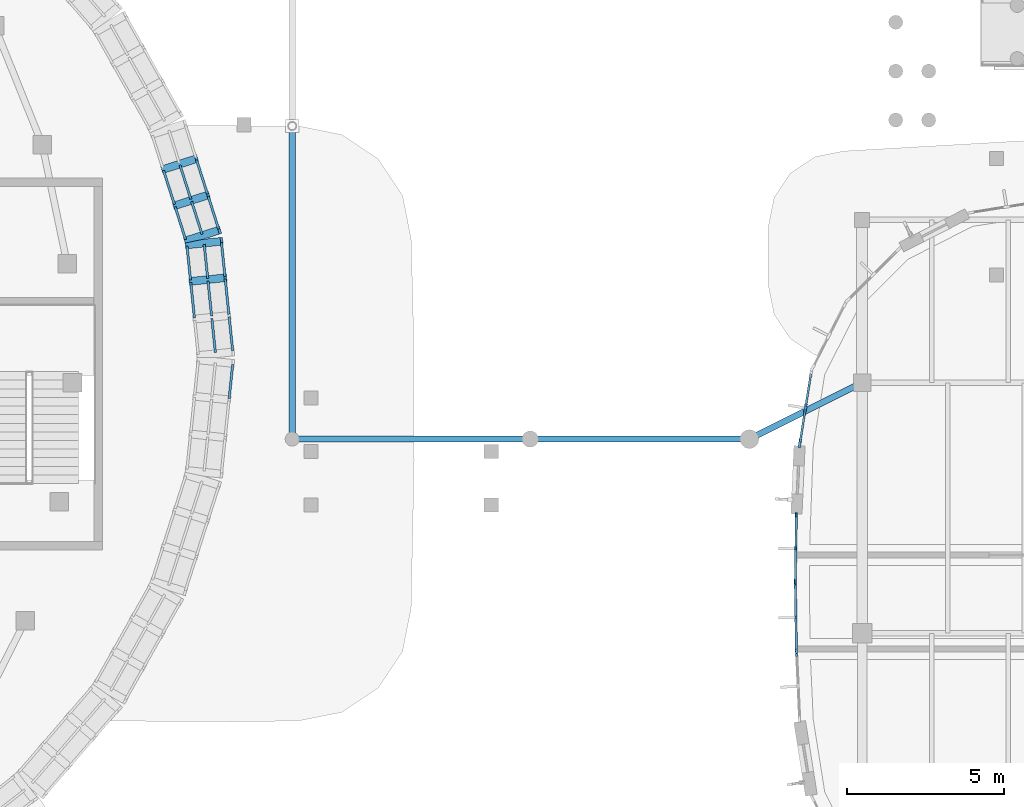
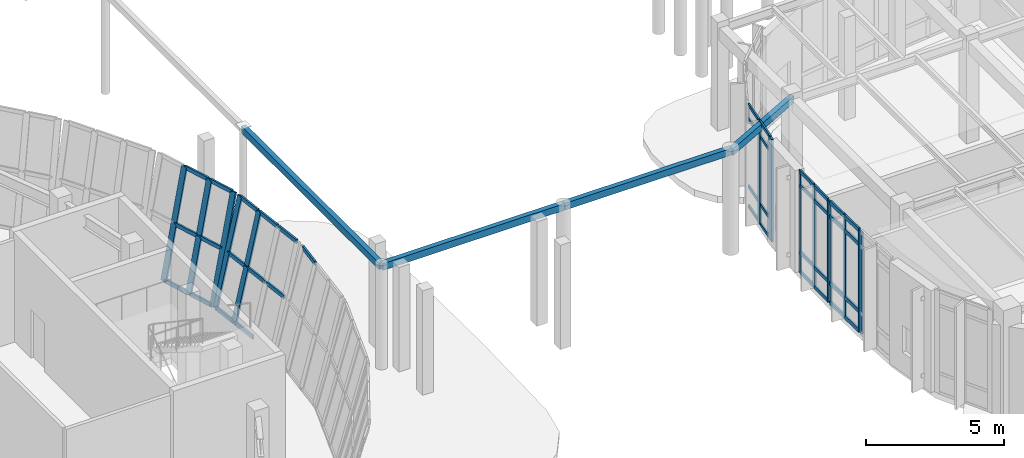
# One storey, part 25 of 120: 53 members, 4 beams, 7 elements without a shape of their own.
"""IFC4 building model written with IfcOpenShell, lengths in metres."""

from ifc_helpers import new_model, si_unit, direction, frame, origin, origin_2d, place, context, subcontext, project, spatial, rectangle, hollow_rectangle, extrude, material, material_profile, profile_set, type_object, element, aggregate, save


model = new_model("IFC4")

# Units and contexts
model_context = context("Model", 3, precision=1e-05, world=origin(), true_north=direction((0.0, 1.0)))
body_context = subcontext(model_context, "Body", "Model", "MODEL_VIEW")
ifc_project = project(units=[si_unit("LENGTHUNIT", "METRE"), si_unit("AREAUNIT", "SQUARE_METRE"), si_unit("VOLUMEUNIT", "CUBIC_METRE"), si_unit("PLANEANGLEUNIT", "RADIAN"), si_unit("MASSUNIT", "GRAM", prefix="KILO")], contexts=[model_context])

# Site, building, storey
site_placement = place(None, origin())
site = spatial("IfcSite", under=ifc_project, at=site_placement, CompositionType="ELEMENT")
building_placement = place(site_placement, origin())
building = spatial("IfcBuilding", under=site, at=building_placement, Name="Corveleigh Park Community Centre", CompositionType="ELEMENT")
storey_placement = place(building_placement, origin())
storey = spatial("IfcBuildingStorey", under=building, at=storey_placement, Name="L00", CompositionType="ELEMENT", Elevation=0.0)

# Curtain wall, members
ifc_material_1 = material(Name="Anodised aluminium 6063-T6", Category="aluminium")
curtain_wall_type_1 = type_object("IfcCurtainWallType", Name="CW-SYS-V3-L00", PredefinedType="NOTDEFINED", material=ifc_material_1)
curtain_wall_1_placement = place(storey_placement, origin())
curtain_wall_1 = element("IfcCurtainWall", 1, at=curtain_wall_1_placement, inside=storey, type_object=curtain_wall_type_1, Name="V3 L00 Curtain Wall 103", PredefinedType="NOTDEFINED")
ifc_material_profile_1 = material_profile(ifc_material_1, rectangle(XDim=0.06005859375, YDim=0.159912109375, at=origin_2d()), Name="ALU-M60x160", Category="aluminium")
ifc_profile_set_1 = profile_set([ifc_material_profile_1], Name="Anodised aluminium 6063-T6")
member_type_1 = type_object("IfcMemberType", Name="CWM-60x160", PredefinedType="MULLION", material=ifc_profile_set_1)
member_1_placement = place(storey_placement, frame((69.866455078125, 20.43896484375, 0.0), z_axis=(0.0, 0.0, 1.0), x_axis=(-0.999885760581, 0.015115084786, 0.0)))
member_1 = element("IfcMember", 2, at=member_1_placement, type_object=member_type_1, Name="CW05 mullion 1", PredefinedType="MULLION", context=body_context, shape_type="SweptSolid", body=[
    extrude(rectangle(XDim=0.06005859375, YDim=0.159912109375, at=origin_2d()), origin(), (0.0, 0.0, 1.0), 4.511962890625),
])
member_2_placement = place(storey_placement, frame((69.882568359375, 21.50048828125, 0.0), z_axis=(0.0, 0.0, 1.0), x_axis=(-0.999885760581, 0.015115084786, 0.0)))
member_2 = element("IfcMember", 3, at=member_2_placement, type_object=member_type_1, Name="CW05 mullion 2", PredefinedType="MULLION", context=body_context, shape_type="SweptSolid", body=[
    extrude(rectangle(XDim=0.06005859375, YDim=0.159912109375, at=origin_2d()), origin(), (0.0, 0.0, 1.0), 4.511962890625),
])
member_3_placement = place(storey_placement, frame((69.8984375, 22.56201171875, 0.0), z_axis=(0.0, 0.0, 1.0), x_axis=(-0.999885760581, 0.015115084786, 0.0)))
member_3 = element("IfcMember", 4, at=member_3_placement, type_object=member_type_1, Name="CW05 mullion 3", PredefinedType="MULLION", context=body_context, shape_type="SweptSolid", body=[
    extrude(rectangle(XDim=0.06005859375, YDim=0.159912109375, at=origin_2d()), origin(), (0.0, 0.0, 1.0), 4.511962890625),
])

curtain_wall_2_placement = place(storey_placement, origin())
curtain_wall_2 = element("IfcCurtainWall", 5, at=curtain_wall_2_placement, inside=storey, type_object=curtain_wall_type_1, Name="V3 L00 Curtain Wall 104", PredefinedType="NOTDEFINED")
ifc_material_profile_2 = material_profile(ifc_material_1, rectangle(XDim=0.06494140625, YDim=0.179931640625, at=origin_2d()), Name="ALU-M65x180", Category="aluminium")
ifc_profile_set_2 = profile_set([ifc_material_profile_2], Name="Anodised aluminium 6063-T6")
member_type_2 = type_object("IfcMemberType", Name="CWM-65x180", PredefinedType="MULLION", material=ifc_profile_set_2)
member_4_placement = place(storey_placement, frame((69.8984375, 18.240478515625, 0.0), z_axis=(0.0, 0.0, 1.0), x_axis=(-0.999885760581, -0.015115084786, 0.0)))
member_4 = element("IfcMember", 6, at=member_4_placement, type_object=member_type_2, Name="CW05 mullion 1", PredefinedType="MULLION", context=body_context, shape_type="SweptSolid", body=[
    extrude(rectangle(XDim=0.06494140625, YDim=0.179931640625, at=origin_2d()), origin(), (0.0, 0.0, 1.0), 4.511962890625),
])
member_5_placement = place(storey_placement, frame((69.882568359375, 19.299560546875, 0.0), z_axis=(0.0, 0.0, 1.0), x_axis=(-0.999885760581, -0.015115084786, 0.0)))
member_5 = element("IfcMember", 7, at=member_5_placement, type_object=member_type_2, Name="CW05 mullion 2", PredefinedType="MULLION", context=body_context, shape_type="SweptSolid", body=[
    extrude(rectangle(XDim=0.06494140625, YDim=0.179931640625, at=origin_2d()), origin(), (0.0, 0.0, 1.0), 4.511962890625),
])
member_6_placement = place(storey_placement, frame((69.866455078125, 20.3583984375, 0.0), z_axis=(0.0, 0.0, 1.0), x_axis=(-0.999885760581, -0.015115084786, 0.0)))
member_6 = element("IfcMember", 8, at=member_6_placement, type_object=member_type_2, Name="CW05 mullion 3", PredefinedType="MULLION", context=body_context, shape_type="SweptSolid", body=[
    extrude(rectangle(XDim=0.06494140625, YDim=0.179931640625, at=origin_2d()), origin(), (0.0, 0.0, 1.0), 4.511962890625),
])

# Curtain wall, member
curtain_wall_3_placement = place(storey_placement, origin())
curtain_wall_3 = element("IfcCurtainWall", 9, at=curtain_wall_3_placement, inside=storey, type_object=curtain_wall_type_1, Name="V3 L00 Curtain Wall 105", PredefinedType="NOTDEFINED")
ifc_material_profile_3 = material_profile(ifc_material_1, rectangle(XDim=0.070068359375, YDim=0.199951171875, at=origin_2d()), Name="ALU-M70x200", Category="aluminium")
ifc_profile_set_3 = profile_set([ifc_material_profile_3], Name="Anodised aluminium 6063-T6")
member_type_3 = type_object("IfcMemberType", Name="CWM-70x200", PredefinedType="MULLION", material=ifc_profile_set_3)
member_7_placement = place(storey_placement, frame((69.900634765625, 18.155029296875, 0.0), z_axis=(0.0, 0.0, 1.0), x_axis=(-0.998942789627, -0.045970676011, 0.0)))
member_7 = element("IfcMember", 10, at=member_7_placement, type_object=member_type_3, Name="CW05 mullion 3", PredefinedType="MULLION", context=body_context, shape_type="SweptSolid", body=[
    extrude(rectangle(XDim=0.070068359375, YDim=0.199951171875, at=origin_2d()), origin(), (0.0, 0.0, 1.0), 4.511962890625),
])
aggregate(curtain_wall_3, [member_7])

# Curtain wall, members
curtain_wall_type_2 = type_object("IfcCurtainWallType", Name="CW-SYS-V1-L00", PredefinedType="NOTDEFINED", material=ifc_material_1)
curtain_wall_4_placement = place(storey_placement, origin())
curtain_wall_4 = element("IfcCurtainWall", 11, at=curtain_wall_4_placement, inside=storey, type_object=curtain_wall_type_2, Name="Main Hall Flared Drum CW 1", PredefinedType="NOTDEFINED")
ifc_material_profile_4 = material_profile(ifc_material_1, rectangle(XDim=0.080078125, YDim=0.25, at=origin_2d()), Name="ALU-M80x250", Category="aluminium")
ifc_profile_set_4 = profile_set([ifc_material_profile_4], Name="Anodised aluminium 6063-T6")
member_type_4 = type_object("IfcMemberType", Name="CWM-80x250", PredefinedType="MULLION", material=ifc_profile_set_4)
member_8_placement = place(storey_placement, frame((50.547607421875, 30.036376953125, 0.0), z_axis=(0.240668855263, 0.024885915662, 0.970288201159), x_axis=(-0.965142168995, -0.099798732134, 0.241952075196)))
member_8 = element("IfcMember", 12, at=member_8_placement, type_object=member_type_4, Name="CW01 mullion 3", PredefinedType="MULLION", context=body_context, shape_type="SweptSolid", body=[
    extrude(rectangle(XDim=0.080078125, YDim=0.25, at=origin_2d()), origin(), (0.0, 0.0, 1.0), 4.650146484375),
])
member_9_placement = place(storey_placement, frame((50.427001953125, 31.201171875, 0.0), z_axis=(0.240668855263, 0.024885915662, 0.970288201159), x_axis=(-0.965142168995, -0.099798732134, 0.241952075196)))
member_9 = element("IfcMember", 13, at=member_9_placement, type_object=member_type_4, Name="CW01 mullion 4", PredefinedType="MULLION", context=body_context, shape_type="SweptSolid", body=[
    extrude(rectangle(XDim=0.080078125, YDim=0.25, at=origin_2d()), origin(), (0.0, 0.0, 1.0), 4.650146484375),
])

curtain_wall_5_placement = place(storey_placement, origin())
curtain_wall_5 = element("IfcCurtainWall", 14, at=curtain_wall_5_placement, inside=storey, type_object=curtain_wall_type_2, Name="Main Hall Flared Drum CW 2", PredefinedType="NOTDEFINED")
member_10_placement = place(storey_placement, frame((50.39990234375, 31.33203125, 0.0), z_axis=(0.230431993261, 0.073713036805, 0.970292473787), x_axis=(-0.92415931552, -0.295629910911, 0.241934940249)))
member_10 = element("IfcMember", 15, at=member_10_placement, type_object=member_type_4, Name="CW01 mullion 1", PredefinedType="MULLION", context=body_context, shape_type="SweptSolid", body=[
    extrude(rectangle(XDim=0.080078125, YDim=0.25, at=origin_2d()), origin(), (0.0, 0.0, 1.0), 4.650146484375),
])
member_11_placement = place(storey_placement, frame((50.041748046875, 32.452392578125, 0.0), z_axis=(0.230432884742, 0.073660819616, 0.970296227594), x_axis=(-0.924223979595, -0.295440018996, 0.241919884914)))
member_11 = element("IfcMember", 16, at=member_11_placement, type_object=member_type_4, Name="CW01 mullion 2", PredefinedType="MULLION", context=body_context, shape_type="SweptSolid", body=[
    extrude(rectangle(XDim=0.080078125, YDim=0.25, at=origin_2d()), origin(), (0.0, 0.0, 1.0), 4.650146484375),
])
member_12_placement = place(storey_placement, frame((49.67138671875, 33.610595703125, 0.0), z_axis=(0.230431993261, 0.073713036805, 0.970292473787), x_axis=(-0.92415931552, -0.295629910911, 0.241934940249)))
member_12 = element("IfcMember", 17, at=member_12_placement, type_object=member_type_4, Name="CW01 mullion 3", PredefinedType="MULLION", context=body_context, shape_type="SweptSolid", body=[
    extrude(rectangle(XDim=0.080078125, YDim=0.25, at=origin_2d()), origin(), (0.0, 0.0, 1.0), 4.650146484375),
])

curtain_wall_6_placement = place(storey_placement, origin())
curtain_wall_6 = element("IfcCurtainWall", 18, at=curtain_wall_6_placement, inside=storey, type_object=curtain_wall_type_1, Name="V3 L00 Curtain Wall 102", PredefinedType="NOTDEFINED")
ifc_material_profile_5 = material_profile(ifc_material_1, rectangle(XDim=0.0849609375, YDim=0.27490234375, at=origin_2d()), Name="ALU-M85x275", Category="aluminium")
ifc_profile_set_5 = profile_set([ifc_material_profile_5], Name="Anodised aluminium 6063-T6")
member_type_5 = type_object("IfcMemberType", Name="CWM-85x275", PredefinedType="MULLION", material=ifc_profile_set_5)
member_13_placement = place(storey_placement, frame((70.009765625, 24.85888671875, 0.0), z_axis=(0.0, 0.0, 1.0), x_axis=(-0.98768803972, 0.156436364679, 0.0)))
member_13 = element("IfcMember", 19, at=member_13_placement, type_object=member_type_5, Name="CW05 mullion 1", PredefinedType="MULLION", context=body_context, shape_type="SweptSolid", body=[
    extrude(rectangle(XDim=0.0849609375, YDim=0.27490234375, at=origin_2d()), origin(), (0.0, 0.0, 1.0), 4.537109375),
])
member_14_placement = place(storey_placement, frame((70.189453125, 25.994384765625, 0.0), z_axis=(0.0, 0.0, 1.0), x_axis=(-0.98768803972, 0.156436364679, 0.0)))
member_14 = element("IfcMember", 20, at=member_14_placement, type_object=member_type_5, Name="CW05 mullion 2", PredefinedType="MULLION", context=body_context, shape_type="SweptSolid", body=[
    extrude(rectangle(XDim=0.0849609375, YDim=0.27490234375, at=origin_2d()), origin(), (0.0, 0.0, 1.0), 4.537109375),
])
ifc_material_profile_6 = material_profile(ifc_material_1, rectangle(XDim=0.06494140625, YDim=0.139892578125, at=origin_2d()), Name="ALU-T65x140", Category="aluminium")
ifc_profile_set_6 = profile_set([ifc_material_profile_6], Name="Anodised aluminium 6063-T6")
member_type_6 = type_object("IfcMemberType", Name="CWT-65x140", PredefinedType="USERDEFINED", material=ifc_profile_set_6)
member_15_placement = place(storey_placement, frame((70.016357421875, 24.90087890625, 0.032470703125), z_axis=(0.156362855525, 0.987699679767, 0.0), x_axis=(-0.987699679767, 0.156362855525, 0.0)))
member_15 = element("IfcMember", 21, at=member_15_placement, type_object=member_type_6, Name="CW05 transom 1.1", ObjectType="TRANSOM", PredefinedType="USERDEFINED", context=body_context, shape_type="SweptSolid", body=[
    extrude(rectangle(XDim=0.06494140625, YDim=0.139892578125, at=origin_2d()), origin(), (0.0, 0.0, 1.0), 1.06494140625),
])
member_16_placement = place(storey_placement, frame((70.016357421875, 24.90087890625, 0.89990234375), z_axis=(0.156362855525, 0.987699679767, 0.0), x_axis=(-0.987699679767, 0.156362855525, 0.0)))
member_16 = element("IfcMember", 22, at=member_16_placement, type_object=member_type_6, Name="CW05 transom 1.2", ObjectType="TRANSOM", PredefinedType="USERDEFINED", context=body_context, shape_type="SweptSolid", body=[
    extrude(rectangle(XDim=0.06494140625, YDim=0.139892578125, at=origin_2d()), origin(), (0.0, 0.0, 1.0), 1.06494140625),
])
member_17_placement = place(storey_placement, frame((70.016357421875, 24.90087890625, 3.886962890625), z_axis=(0.156362855525, 0.987699679767, 0.0), x_axis=(-0.987699679767, 0.156362855525, 0.0)))
member_17 = element("IfcMember", 23, at=member_17_placement, type_object=member_type_6, Name="CW05 transom 1.3", ObjectType="TRANSOM", PredefinedType="USERDEFINED", context=body_context, shape_type="SweptSolid", body=[
    extrude(rectangle(XDim=0.06494140625, YDim=0.139892578125, at=origin_2d()), origin(), (0.0, 0.0, 1.0), 1.06494140625),
])
member_18_placement = place(storey_placement, frame((70.016357421875, 24.90087890625, 4.50439453125), z_axis=(0.156362855525, 0.987699679767, 0.0), x_axis=(-0.987699679767, 0.156362855525, 0.0)))
member_18 = element("IfcMember", 24, at=member_18_placement, type_object=member_type_6, Name="CW05 transom 1.4", ObjectType="TRANSOM", PredefinedType="USERDEFINED", context=body_context, shape_type="SweptSolid", body=[
    extrude(rectangle(XDim=0.06494140625, YDim=0.139892578125, at=origin_2d()), origin(), (0.0, 0.0, 1.0), 1.06494140625),
])
member_19_placement = place(storey_placement, frame((70.196044921875, 26.036376953125, 0.032470703125), z_axis=(0.156586509015, 0.987664247199, 0.0), x_axis=(-0.987664247199, 0.156586509015, 0.0)))
member_19 = element("IfcMember", 25, at=member_19_placement, type_object=member_type_6, Name="CW05 transom 2.1", ObjectType="TRANSOM", PredefinedType="USERDEFINED", context=body_context, shape_type="SweptSolid", body=[
    extrude(rectangle(XDim=0.06494140625, YDim=0.139892578125, at=origin_2d()), origin(), (0.0, 0.0, 1.0), 1.06494140625),
])
member_20_placement = place(storey_placement, frame((70.196044921875, 26.036376953125, 0.89990234375), z_axis=(0.156586509015, 0.987664247199, 0.0), x_axis=(-0.987664247199, 0.156586509015, 0.0)))
member_20 = element("IfcMember", 26, at=member_20_placement, type_object=member_type_6, Name="CW05 transom 2.2", ObjectType="TRANSOM", PredefinedType="USERDEFINED", context=body_context, shape_type="SweptSolid", body=[
    extrude(rectangle(XDim=0.06494140625, YDim=0.139892578125, at=origin_2d()), origin(), (0.0, 0.0, 1.0), 1.06494140625),
])
member_21_placement = place(storey_placement, frame((70.196044921875, 26.036376953125, 3.886962890625), z_axis=(0.156586509015, 0.987664247199, 0.0), x_axis=(-0.987664247199, 0.156586509015, 0.0)))
member_21 = element("IfcMember", 27, at=member_21_placement, type_object=member_type_6, Name="CW05 transom 2.3", ObjectType="TRANSOM", PredefinedType="USERDEFINED", context=body_context, shape_type="SweptSolid", body=[
    extrude(rectangle(XDim=0.06494140625, YDim=0.139892578125, at=origin_2d()), origin(), (0.0, 0.0, 1.0), 1.06494140625),
])
member_22_placement = place(storey_placement, frame((70.196044921875, 26.036376953125, 4.50439453125), z_axis=(0.156586509015, 0.987664247199, 0.0), x_axis=(-0.987664247199, 0.156586509015, 0.0)))
member_22 = element("IfcMember", 28, at=member_22_placement, type_object=member_type_6, Name="CW05 transom 2.4", ObjectType="TRANSOM", PredefinedType="USERDEFINED", context=body_context, shape_type="SweptSolid", body=[
    extrude(rectangle(XDim=0.06494140625, YDim=0.139892578125, at=origin_2d()), origin(), (0.0, 0.0, 1.0), 1.06494140625),
])
aggregate(curtain_wall_6, [member_13, member_14, member_15, member_16, member_17, member_18, member_19, member_20, member_21, member_22])

# Member
ifc_material_profile_7 = material_profile(ifc_material_1, rectangle(XDim=0.070068359375, YDim=0.155029296875, at=origin_2d()), Name="ALU-T70x155", Category="aluminium")
ifc_profile_set_7 = profile_set([ifc_material_profile_7], Name="Anodised aluminium 6063-T6")
member_type_7 = type_object("IfcMemberType", Name="CWT-70x155", PredefinedType="USERDEFINED", material=ifc_profile_set_7)
member_23_placement = place(storey_placement, frame((69.866943359375, 20.468994140625, 0.034912109375), z_axis=(0.015112852084, 0.999885794329, 0.0), x_axis=(-0.999885794329, 0.015112852084, 0.0)))
member_23 = element("IfcMember", 29, at=member_23_placement, type_object=member_type_7, Name="CW05 transom 1.1", ObjectType="TRANSOM", PredefinedType="USERDEFINED", context=body_context, shape_type="SweptSolid", body=[
    extrude(rectangle(XDim=0.070068359375, YDim=0.155029296875, at=origin_2d()), origin(), (0.0, 0.0, 1.0), 1.00146484375),
])

member_24_placement = place(storey_placement, frame((69.866943359375, 20.468994140625, 0.89990234375), z_axis=(0.015112852084, 0.999885794329, 0.0), x_axis=(-0.999885794329, 0.015112852084, 0.0)))
member_24 = element("IfcMember", 30, at=member_24_placement, type_object=member_type_7, Name="CW05 transom 1.2", ObjectType="TRANSOM", PredefinedType="USERDEFINED", context=body_context, shape_type="SweptSolid", body=[
    extrude(rectangle(XDim=0.070068359375, YDim=0.155029296875, at=origin_2d()), origin(), (0.0, 0.0, 1.0), 1.00146484375),
])

member_25_placement = place(storey_placement, frame((69.866943359375, 20.468994140625, 3.862060546875), z_axis=(0.015112852084, 0.999885794329, 0.0), x_axis=(-0.999885794329, 0.015112852084, 0.0)))
member_25 = element("IfcMember", 31, at=member_25_placement, type_object=member_type_7, Name="CW05 transom 1.3", ObjectType="TRANSOM", PredefinedType="USERDEFINED", context=body_context, shape_type="SweptSolid", body=[
    extrude(rectangle(XDim=0.070068359375, YDim=0.155029296875, at=origin_2d()), origin(), (0.0, 0.0, 1.0), 1.00146484375),
])

member_26_placement = place(storey_placement, frame((69.866943359375, 20.468994140625, 4.47705078125), z_axis=(0.015112852084, 0.999885794329, 0.0), x_axis=(-0.999885794329, 0.015112852084, 0.0)))
member_26 = element("IfcMember", 32, at=member_26_placement, type_object=member_type_7, Name="CW05 transom 1.4", ObjectType="TRANSOM", PredefinedType="USERDEFINED", context=body_context, shape_type="SweptSolid", body=[
    extrude(rectangle(XDim=0.070068359375, YDim=0.155029296875, at=origin_2d()), origin(), (0.0, 0.0, 1.0), 1.00146484375),
])

member_27_placement = place(storey_placement, frame((69.883056640625, 21.530517578125, 0.034912109375), z_axis=(0.015112852084, 0.999885794329, 0.0), x_axis=(-0.999885794329, 0.015112852084, 0.0)))
member_27 = element("IfcMember", 33, at=member_27_placement, type_object=member_type_7, Name="CW05 transom 2.1", ObjectType="TRANSOM", PredefinedType="USERDEFINED", context=body_context, shape_type="SweptSolid", body=[
    extrude(rectangle(XDim=0.070068359375, YDim=0.155029296875, at=origin_2d()), origin(), (0.0, 0.0, 1.0), 1.00146484375),
])

member_28_placement = place(storey_placement, frame((69.883056640625, 21.530517578125, 0.89990234375), z_axis=(0.015112852084, 0.999885794329, 0.0), x_axis=(-0.999885794329, 0.015112852084, 0.0)))
member_28 = element("IfcMember", 34, at=member_28_placement, type_object=member_type_7, Name="CW05 transom 2.2", ObjectType="TRANSOM", PredefinedType="USERDEFINED", context=body_context, shape_type="SweptSolid", body=[
    extrude(rectangle(XDim=0.070068359375, YDim=0.155029296875, at=origin_2d()), origin(), (0.0, 0.0, 1.0), 1.00146484375),
])

member_29_placement = place(storey_placement, frame((69.883056640625, 21.530517578125, 3.862060546875), z_axis=(0.015112852084, 0.999885794329, 0.0), x_axis=(-0.999885794329, 0.015112852084, 0.0)))
member_29 = element("IfcMember", 35, at=member_29_placement, type_object=member_type_7, Name="CW05 transom 2.3", ObjectType="TRANSOM", PredefinedType="USERDEFINED", context=body_context, shape_type="SweptSolid", body=[
    extrude(rectangle(XDim=0.070068359375, YDim=0.155029296875, at=origin_2d()), origin(), (0.0, 0.0, 1.0), 1.00146484375),
])

member_30_placement = place(storey_placement, frame((69.883056640625, 21.530517578125, 4.47705078125), z_axis=(0.015112852084, 0.999885794329, 0.0), x_axis=(-0.999885794329, 0.015112852084, 0.0)))
member_30 = element("IfcMember", 36, at=member_30_placement, type_object=member_type_7, Name="CW05 transom 2.4", ObjectType="TRANSOM", PredefinedType="USERDEFINED", context=body_context, shape_type="SweptSolid", body=[
    extrude(rectangle(XDim=0.070068359375, YDim=0.155029296875, at=origin_2d()), origin(), (0.0, 0.0, 1.0), 1.00146484375),
])

aggregate(curtain_wall_1, [member_1, member_2, member_3, member_23, member_24, member_25, member_26, member_27, member_28, member_29, member_30])

ifc_material_profile_8 = material_profile(ifc_material_1, rectangle(XDim=0.074951171875, YDim=0.175048828125, at=origin_2d()), Name="ALU-T75x175", Category="aluminium")
ifc_profile_set_8 = profile_set([ifc_material_profile_8], Name="Anodised aluminium 6063-T6")
member_type_8 = type_object("IfcMemberType", Name="CWT-75x175", PredefinedType="USERDEFINED", material=ifc_profile_set_8)
member_31_placement = place(storey_placement, frame((51.3466796875, 27.764404296875, 2.25), z_axis=(-0.102937324698, 0.994687844092, 0.0), x_axis=(-0.994687844092, -0.102937324698, 0.0)))
member_31 = element("IfcMember", 37, at=member_31_placement, type_object=member_type_8, Name="CW01 transom 1.2", ObjectType="TRANSOM", PredefinedType="USERDEFINED", context=body_context, shape_type="SweptSolid", body=[
    extrude(rectangle(XDim=0.074951171875, YDim=0.175048828125, at=origin_2d()), origin(), (0.0, 0.0, 1.0), 1.091064453125),
])

member_32_placement = place(storey_placement, frame((51.8984375, 27.821533203125, 4.474609375), z_axis=(-0.102937324698, 0.994687844092, 0.0), x_axis=(-0.994687844092, -0.102937324698, 0.0)))
member_32 = element("IfcMember", 38, at=member_32_placement, type_object=member_type_8, Name="CW01 transom 1.3", ObjectType="TRANSOM", PredefinedType="USERDEFINED", context=body_context, shape_type="SweptSolid", body=[
    extrude(rectangle(XDim=0.074951171875, YDim=0.175048828125, at=origin_2d()), origin(), (0.0, 0.0, 1.0), 1.091064453125),
])

member_33_placement = place(storey_placement, frame((50.677490234375, 28.872314453125, 0.03759765625), z_axis=(-0.102943329401, 0.994687222664, 0.0), x_axis=(-0.994687222664, -0.102943329401, 0.0)))
member_33 = element("IfcMember", 39, at=member_33_placement, type_object=member_type_8, Name="CW01 transom 2.1", ObjectType="TRANSOM", PredefinedType="USERDEFINED", context=body_context, shape_type="SweptSolid", body=[
    extrude(rectangle(XDim=0.074951171875, YDim=0.175048828125, at=origin_2d()), origin(), (0.0, 0.0, 1.0), 1.13134765625),
])

member_34_placement = place(storey_placement, frame((51.226318359375, 28.92919921875, 2.25), z_axis=(-0.102965432712, 0.994684934875, 0.0), x_axis=(-0.994684934875, -0.102965432712, 0.0)))
member_34 = element("IfcMember", 40, at=member_34_placement, type_object=member_type_8, Name="CW01 transom 2.2", ObjectType="TRANSOM", PredefinedType="USERDEFINED", context=body_context, shape_type="SweptSolid", body=[
    extrude(rectangle(XDim=0.074951171875, YDim=0.175048828125, at=origin_2d()), origin(), (0.0, 0.0, 1.0), 1.131103515625),
])

member_35_placement = place(storey_placement, frame((51.77783203125, 28.986328125, 4.474609375), z_axis=(-0.102751853677, 0.994707020467, 0.0), x_axis=(-0.994707020467, -0.102751853677, 0.0)))
member_35 = element("IfcMember", 41, at=member_35_placement, type_object=member_type_8, Name="CW01 transom 2.3", ObjectType="TRANSOM", PredefinedType="USERDEFINED", context=body_context, shape_type="SweptSolid", body=[
    extrude(rectangle(XDim=0.074951171875, YDim=0.175048828125, at=origin_2d()), origin(), (0.0, 0.0, 1.0), 1.131103515625),
])

member_36_placement = place(storey_placement, frame((50.552734375, 30.0771484375, 0.03759765625), z_axis=(-0.102937324698, 0.994687844092, 0.0), x_axis=(-0.994687844092, -0.102937324698, 0.0)))
member_36 = element("IfcMember", 42, at=member_36_placement, type_object=member_type_8, Name="CW01 transom 3.1", ObjectType="TRANSOM", PredefinedType="USERDEFINED", context=body_context, shape_type="SweptSolid", body=[
    extrude(rectangle(XDim=0.074951171875, YDim=0.175048828125, at=origin_2d()), origin(), (0.0, 0.0, 1.0), 1.091064453125),
])

member_37_placement = place(storey_placement, frame((51.1015625, 30.1337890625, 2.25), z_axis=(-0.102914417151, 0.99469021446, 0.0), x_axis=(-0.99469021446, -0.102914417151, 0.0)))
member_37 = element("IfcMember", 43, at=member_37_placement, type_object=member_type_8, Name="CW01 transom 3.2", ObjectType="TRANSOM", PredefinedType="USERDEFINED", context=body_context, shape_type="SweptSolid", body=[
    extrude(rectangle(XDim=0.074951171875, YDim=0.175048828125, at=origin_2d()), origin(), (0.0, 0.0, 1.0), 1.09130859375),
])

member_38_placement = place(storey_placement, frame((51.6533203125, 30.19091796875, 4.474609375), z_axis=(-0.102914417151, 0.99469021446, 0.0), x_axis=(-0.99469021446, -0.102914417151, 0.0)))
member_38 = element("IfcMember", 44, at=member_38_placement, type_object=member_type_8, Name="CW01 transom 3.3", ObjectType="TRANSOM", PredefinedType="USERDEFINED", context=body_context, shape_type="SweptSolid", body=[
    extrude(rectangle(XDim=0.074951171875, YDim=0.175048828125, at=origin_2d()), origin(), (0.0, 0.0, 1.0), 1.09130859375),
])

aggregate(curtain_wall_4, [member_8, member_9, member_31, member_32, member_33, member_34, member_35, member_36, member_37, member_38])

member_39_placement = place(storey_placement, frame((50.396484375, 31.373046875, 0.03759765625), z_axis=(-0.304508988552, 0.952509462363, 0.0), x_axis=(-0.952509462363, -0.304508988552, 0.0)))
member_39 = element("IfcMember", 45, at=member_39_placement, type_object=member_type_8, Name="CW01 transom 1.1", ObjectType="TRANSOM", PredefinedType="USERDEFINED", context=body_context, shape_type="SweptSolid", body=[
    extrude(rectangle(XDim=0.074951171875, YDim=0.175048828125, at=origin_2d()), origin(), (0.0, 0.0, 1.0), 1.095947265625),
])

member_40_placement = place(storey_placement, frame((50.921875, 31.541015625, 2.25), z_axis=(-0.304508988552, 0.952509462363, 0.0), x_axis=(-0.952509462363, -0.304508988552, 0.0)))
member_40 = element("IfcMember", 46, at=member_40_placement, type_object=member_type_8, Name="CW01 transom 1.2", ObjectType="TRANSOM", PredefinedType="USERDEFINED", context=body_context, shape_type="SweptSolid", body=[
    extrude(rectangle(XDim=0.074951171875, YDim=0.175048828125, at=origin_2d()), origin(), (0.0, 0.0, 1.0), 1.095947265625),
])

member_41_placement = place(storey_placement, frame((51.4501953125, 31.7099609375, 4.474609375), z_axis=(-0.304508988552, 0.952509462363, 0.0), x_axis=(-0.952509462363, -0.304508988552, 0.0)))
member_41 = element("IfcMember", 47, at=member_41_placement, type_object=member_type_8, Name="CW01 transom 1.3", ObjectType="TRANSOM", PredefinedType="USERDEFINED", context=body_context, shape_type="SweptSolid", body=[
    extrude(rectangle(XDim=0.074951171875, YDim=0.175048828125, at=origin_2d()), origin(), (0.0, 0.0, 1.0), 1.095947265625),
])

member_42_placement = place(storey_placement, frame((50.038330078125, 32.4931640625, 0.03759765625), z_axis=(-0.304471649393, 0.952521398561, 0.0), x_axis=(-0.952521398561, -0.304471649393, 0.0)))
member_42 = element("IfcMember", 48, at=member_42_placement, type_object=member_type_8, Name="CW01 transom 2.1", ObjectType="TRANSOM", PredefinedType="USERDEFINED", context=body_context, shape_type="SweptSolid", body=[
    extrude(rectangle(XDim=0.074951171875, YDim=0.175048828125, at=origin_2d()), origin(), (0.0, 0.0, 1.0), 1.13623046875),
])

member_43_placement = place(storey_placement, frame((50.56396484375, 32.661376953125, 2.25), z_axis=(-0.304728941426, 0.952439117349, 0.0), x_axis=(-0.952439117349, -0.304728941426, 0.0)))
member_43 = element("IfcMember", 49, at=member_43_placement, type_object=member_type_8, Name="CW01 transom 2.2", ObjectType="TRANSOM", PredefinedType="USERDEFINED", context=body_context, shape_type="SweptSolid", body=[
    extrude(rectangle(XDim=0.074951171875, YDim=0.175048828125, at=origin_2d()), origin(), (0.0, 0.0, 1.0), 1.135986328125),
])

member_44_placement = place(storey_placement, frame((51.092041015625, 32.830078125, 4.474609375), z_axis=(-0.304471649393, 0.952521398561, 0.0), x_axis=(-0.952521398561, -0.304471649393, 0.0)))
member_44 = element("IfcMember", 50, at=member_44_placement, type_object=member_type_8, Name="CW01 transom 2.3", ObjectType="TRANSOM", PredefinedType="USERDEFINED", context=body_context, shape_type="SweptSolid", body=[
    extrude(rectangle(XDim=0.074951171875, YDim=0.175048828125, at=origin_2d()), origin(), (0.0, 0.0, 1.0), 1.13623046875),
])

aggregate(curtain_wall_5, [member_10, member_11, member_12, member_39, member_40, member_41, member_42, member_43, member_44])

# Curtain wall, member
curtain_wall_7_placement = place(storey_placement, origin())
curtain_wall_7 = element("IfcCurtainWall", 51, at=curtain_wall_7_placement, inside=storey, type_object=curtain_wall_type_2, Name="Main Hall Flared Drum CW 29", PredefinedType="NOTDEFINED")
member_45_placement = place(storey_placement, frame((51.7861328125, 26.293212890625, 4.474609375), z_axis=(0.102914417151, 0.99469021446, 0.0), x_axis=(-0.99469021446, 0.102914417151, 0.0)))
member_45 = element("IfcMember", 52, at=member_45_placement, type_object=member_type_8, Name="CW01 transom 3.3", ObjectType="TRANSOM", PredefinedType="USERDEFINED", context=body_context, shape_type="SweptSolid", body=[
    extrude(rectangle(XDim=0.074951171875, YDim=0.175048828125, at=origin_2d()), origin(), (0.0, 0.0, 1.0), 1.09130859375),
])
aggregate(curtain_wall_7, [member_45])

# Member
member_46_placement = place(storey_placement, frame((69.89794921875, 18.27294921875, 0.03759765625), z_axis=(-0.014978673039, 0.999887813384, 0.0), x_axis=(-0.999887813384, -0.014978673039, 0.0)))
member_46 = element("IfcMember", 53, at=member_46_placement, type_object=member_type_8, Name="CW05 transom 1.1", ObjectType="TRANSOM", PredefinedType="USERDEFINED", context=body_context, shape_type="SweptSolid", body=[
    extrude(rectangle(XDim=0.074951171875, YDim=0.175048828125, at=origin_2d()), origin(), (0.0, 0.0, 1.0), 0.994140625),
])

member_47_placement = place(storey_placement, frame((69.89794921875, 18.27294921875, 0.89990234375), z_axis=(-0.014978673039, 0.999887813384, 0.0), x_axis=(-0.999887813384, -0.014978673039, 0.0)))
member_47 = element("IfcMember", 54, at=member_47_placement, type_object=member_type_8, Name="CW05 transom 1.2", ObjectType="TRANSOM", PredefinedType="USERDEFINED", context=body_context, shape_type="SweptSolid", body=[
    extrude(rectangle(XDim=0.074951171875, YDim=0.175048828125, at=origin_2d()), origin(), (0.0, 0.0, 1.0), 0.994140625),
])

member_48_placement = place(storey_placement, frame((69.89794921875, 18.27294921875, 3.862060546875), z_axis=(-0.014978673039, 0.999887813384, 0.0), x_axis=(-0.999887813384, -0.014978673039, 0.0)))
member_48 = element("IfcMember", 55, at=member_48_placement, type_object=member_type_8, Name="CW05 transom 1.3", ObjectType="TRANSOM", PredefinedType="USERDEFINED", context=body_context, shape_type="SweptSolid", body=[
    extrude(rectangle(XDim=0.074951171875, YDim=0.175048828125, at=origin_2d()), origin(), (0.0, 0.0, 1.0), 0.994140625),
])

member_49_placement = place(storey_placement, frame((69.89794921875, 18.27294921875, 4.474609375), z_axis=(-0.014978673039, 0.999887813384, 0.0), x_axis=(-0.999887813384, -0.014978673039, 0.0)))
member_49 = element("IfcMember", 56, at=member_49_placement, type_object=member_type_8, Name="CW05 transom 1.4", ObjectType="TRANSOM", PredefinedType="USERDEFINED", context=body_context, shape_type="SweptSolid", body=[
    extrude(rectangle(XDim=0.074951171875, YDim=0.175048828125, at=origin_2d()), origin(), (0.0, 0.0, 1.0), 0.994140625),
])

member_50_placement = place(storey_placement, frame((69.882080078125, 19.33203125, 0.03759765625), z_axis=(-0.015227907398, 0.999884048696, 0.0), x_axis=(-0.999884048696, -0.015227907398, 0.0)))
member_50 = element("IfcMember", 57, at=member_50_placement, type_object=member_type_8, Name="CW05 transom 2.1", ObjectType="TRANSOM", PredefinedType="USERDEFINED", context=body_context, shape_type="SweptSolid", body=[
    extrude(rectangle(XDim=0.074951171875, YDim=0.175048828125, at=origin_2d()), origin(), (0.0, 0.0, 1.0), 0.993896484375),
])

member_51_placement = place(storey_placement, frame((69.882080078125, 19.33203125, 0.89990234375), z_axis=(-0.015227907398, 0.999884048696, 0.0), x_axis=(-0.999884048696, -0.015227907398, 0.0)))
member_51 = element("IfcMember", 58, at=member_51_placement, type_object=member_type_8, Name="CW05 transom 2.2", ObjectType="TRANSOM", PredefinedType="USERDEFINED", context=body_context, shape_type="SweptSolid", body=[
    extrude(rectangle(XDim=0.074951171875, YDim=0.175048828125, at=origin_2d()), origin(), (0.0, 0.0, 1.0), 0.993896484375),
])

member_52_placement = place(storey_placement, frame((69.882080078125, 19.33203125, 3.862060546875), z_axis=(-0.015227907398, 0.999884048696, 0.0), x_axis=(-0.999884048696, -0.015227907398, 0.0)))
member_52 = element("IfcMember", 59, at=member_52_placement, type_object=member_type_8, Name="CW05 transom 2.3", ObjectType="TRANSOM", PredefinedType="USERDEFINED", context=body_context, shape_type="SweptSolid", body=[
    extrude(rectangle(XDim=0.074951171875, YDim=0.175048828125, at=origin_2d()), origin(), (0.0, 0.0, 1.0), 0.993896484375),
])

member_53_placement = place(storey_placement, frame((69.882080078125, 19.33203125, 4.474609375), z_axis=(-0.015227907398, 0.999884048696, 0.0), x_axis=(-0.999884048696, -0.015227907398, 0.0)))
member_53 = element("IfcMember", 60, at=member_53_placement, type_object=member_type_8, Name="CW05 transom 2.4", ObjectType="TRANSOM", PredefinedType="USERDEFINED", context=body_context, shape_type="SweptSolid", body=[
    extrude(rectangle(XDim=0.074951171875, YDim=0.175048828125, at=origin_2d()), origin(), (0.0, 0.0, 1.0), 0.993896484375),
])

aggregate(curtain_wall_2, [member_4, member_5, member_6, member_46, member_47, member_48, member_49, member_50, member_51, member_52, member_53])

# Beams
ifc_material_2 = material(Name="Steel S355", Category="steel")
ifc_material_profile_9 = material_profile(ifc_material_2, hollow_rectangle(XDim=0.199951171875, YDim=0.300048828125, WallThickness=0.012451171875, at=origin_2d()), Name="RHS 300x200x12.5", Category="steel")
ifc_profile_set_9 = profile_set([ifc_material_profile_9], Name="Steel S355")
beam_type = type_object("IfcBeamType", Name="SP-STL-RHS300x200", PredefinedType="SPANDREL", material=ifc_profile_set_9)
beam_1_placement = place(storey_placement, frame((53.804931640625, 25.0, 4.449951171875), z_axis=(1.0, 0.0, 0.0), x_axis=(0.0, 1.0, 0.0)))
element("IfcBeam", 61, at=beam_1_placement, inside=storey, type_object=beam_type, Name="Covered Passage Canopy Girder", PredefinedType="SPANDREL", context=body_context, shape_type="SweptSolid", body=[
    extrude(hollow_rectangle(XDim=0.199951171875, YDim=0.300048828125, WallThickness=0.012451171875, at=origin_2d()), origin(), (0.0, 0.0, 1.0), 7.590087890625),
])
beam_2_placement = place(storey_placement, frame((61.405029296875, 25.0, 4.449951171875), z_axis=(1.0, 0.0, 0.0), x_axis=(0.0, 1.0, 0.0)))
element("IfcBeam", 62, at=beam_2_placement, inside=storey, type_object=beam_type, Name="Covered Passage Canopy Girder", PredefinedType="SPANDREL", context=body_context, shape_type="SweptSolid", body=[
    extrude(hollow_rectangle(XDim=0.199951171875, YDim=0.300048828125, WallThickness=0.012451171875, at=origin_2d()), origin(), (0.0, 0.0, 1.0), 6.989990234375),
])
beam_3_placement = place(storey_placement, frame((68.404541015625, 25.002197265625, 4.386962890625), z_axis=(0.894415029203, 0.447237918267, 0.0), x_axis=(-0.447237918267, 0.894415029203, 0.0)))
element("IfcBeam", 63, at=beam_3_placement, inside=storey, type_object=beam_type, Name="Covered Passage Canopy Girder", PredefinedType="SPANDREL", context=body_context, shape_type="SweptSolid", body=[
    extrude(hollow_rectangle(XDim=0.199951171875, YDim=0.300048828125, WallThickness=0.012451171875, at=origin_2d()), origin(), (0.0, 0.0, 1.0), 4.014892578125),
])
beam_4_placement = place(storey_placement, frame((53.800048828125, 25.0048828125, 4.449951171875), z_axis=(0.0, 1.0, 0.0), x_axis=(-1.0, 0.0, 0.0)))
element("IfcBeam", 64, at=beam_4_placement, inside=storey, type_object=beam_type, Name="Covered Passage Canopy Girder", PredefinedType="SPANDREL", context=body_context, shape_type="SweptSolid", body=[
    extrude(hollow_rectangle(XDim=0.199951171875, YDim=0.300048828125, WallThickness=0.012451171875, at=origin_2d()), origin(), (0.0, 0.0, 1.0), 9.990234375),
])

save(model, "model.ifc")
